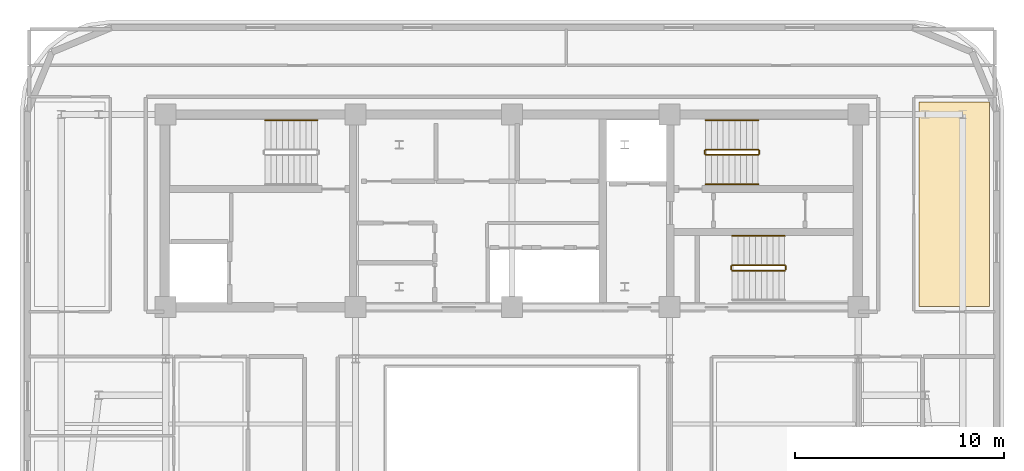
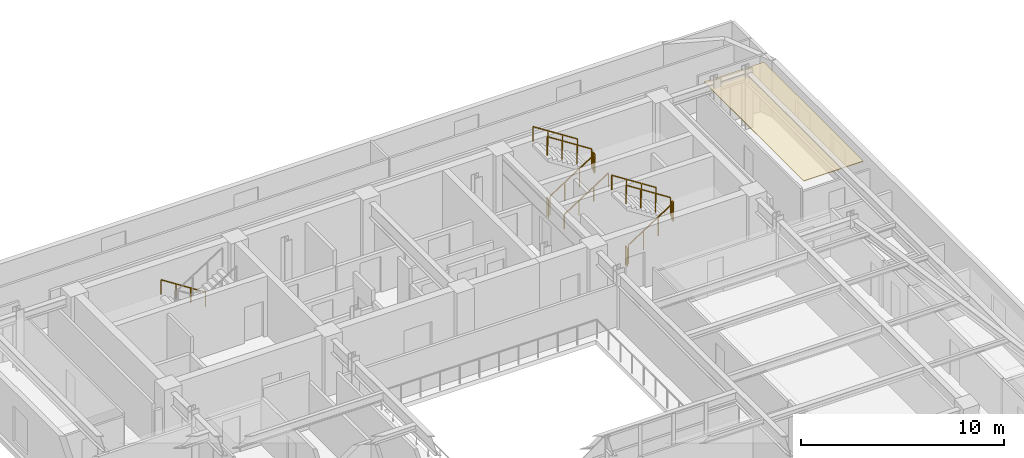
# One storey, part 14 of 14: 12 railings, 1 covering.
"""IFC4 building model written with IfcOpenShell, lengths in metres."""

from ifc_helpers import new_model, si_unit, direction, frame, origin, origin_2d, place, context, subcontext, project, spatial, polyline, rectangle, outline, extrude, material, layer, layer_set, type_object, element, save


model = new_model("IFC4")

# Units and contexts
model_context = context("Model", 3, precision=1e-05, world=origin(), true_north=direction((0.0, 1.0)))
body_context = subcontext(model_context, "Body", "Model", "MODEL_VIEW")
ifc_project = project(units=[si_unit("LENGTHUNIT", "METRE"), si_unit("AREAUNIT", "SQUARE_METRE"), si_unit("VOLUMEUNIT", "CUBIC_METRE"), si_unit("PLANEANGLEUNIT", "RADIAN"), si_unit("MASSUNIT", "GRAM", prefix="KILO")], contexts=[model_context])

# Site, building, storey
site_placement = place(None, origin())
site = spatial("IfcSite", under=ifc_project, at=site_placement, CompositionType="ELEMENT")
building_placement = place(site_placement, origin())
building = spatial("IfcBuilding", under=site, at=building_placement, Name="Zarnavel Station Tower", CompositionType="ELEMENT")
storey_placement = place(building_placement, frame((0.0, 0.0, 211.199951171875)))
storey = spatial("IfcBuildingStorey", under=building, at=storey_placement, Name="L57", CompositionType="ELEMENT", Elevation=211.199951171875)

# Covering
ifc_material_1 = material(Name="Perforated Gypsum and Mineral-Wool Acoustic Ceiling", Category="concrete")
ifc_layer = layer(ifc_material_1, 0.0400390625)
ifc_layer_set = layer_set([ifc_layer], Name="COV_CEIL_ACOUSTIC")
covering_type = type_object("IfcCoveringType", Name="COV_CEIL_ACOUSTIC", PredefinedType="CEILING", material=ifc_layer_set)
covering_placement = place(storey_placement, frame((0.0, 0.0, 3.02001953125)))
element("IfcCovering", 1, at=covering_placement, inside=storey, type_object=covering_type, Name="L57 FNE Acoustic Ceiling", PredefinedType="CEILING", context=body_context, shape_type="SweptSolid", body=[
    extrude(outline(polyline([(48.300048828125, 27.85009765625), (51.68994140625, 27.85009765625), (51.68994140625, 37.64990234375), (48.300048828125, 37.64990234375), (48.300048828125, 27.85009765625)])), origin(), (0.0, 0.0, 1.0), 0.0400390625),
])

# Railings
ifc_material_2 = material(Name="Painted Steel S355J2 Balustrade", Category="steel")
railing_type_1 = type_object("IfcRailingType", Name="GR_INT_1150", PredefinedType="GUARDRAIL", material=ifc_material_2)
railing_1_placement = place(storey_placement, frame((38.080078125, 35.110107421875, 0.179931640625)))
element("IfcRailing", 2, at=railing_1_placement, inside=storey, type_object=railing_type_1, Name="L57 ST2 stair guard 1", PredefinedType="GUARDRAIL", context=body_context, shape_type="SweptSolid", body=[
    extrude(rectangle(XDim=0.048095703125, YDim=0.048095703125, at=origin_2d()), frame((0.001708984375, 0.0, 1.126953125), z_axis=(0.841162588446, 0.0, 0.540782303519), x_axis=(0.0, 1.0, 0.0)), (0.0, 0.0, 1.0), 2.991943359375),
    extrude(rectangle(XDim=0.0419921875, YDim=0.0419921875, at=origin_2d()), origin(), (0.0, 0.0, 1.0), 1.101806640625),
    extrude(rectangle(XDim=0.0419921875, YDim=0.0419921875, at=origin_2d()), frame((0.840087890625, 0.0, 0.5400390625)), (0.0, 0.0, 1.0), 1.101806640625),
    extrude(rectangle(XDim=0.0419921875, YDim=0.0419921875, at=origin_2d()), frame((1.679931640625, 0.0, 1.080078125)), (0.0, 0.0, 1.0), 1.101806640625),
    extrude(rectangle(XDim=0.0419921875, YDim=0.0419921875, at=origin_2d()), frame((2.52001953125, 0.0, 1.6201171875)), (0.0, 0.0, 1.0), 1.101806640625),
])
railing_2_placement = place(storey_placement, frame((40.64990234375, 35.159912109375, 1.800048828125)))
element("IfcRailing", 3, at=railing_2_placement, inside=storey, type_object=railing_type_1, Name="L57 ST2 stair guard 2", PredefinedType="GUARDRAIL", context=body_context, shape_type="SweptSolid", body=[
    extrude(rectangle(XDim=0.048095703125, YDim=0.048095703125, at=origin_2d()), frame((0.0, 0.001953125, 1.1259765625), z_axis=(0.0, 1.0, 0.0), x_axis=(-1.0, 0.0, 0.0)), (0.0, 0.0, 1.0), 0.15625),
    extrude(rectangle(XDim=0.0419921875, YDim=0.0419921875, at=origin_2d()), origin(), (0.0, 0.0, 1.0), 1.101806640625),
    extrude(rectangle(XDim=0.0419921875, YDim=0.0419921875, at=origin_2d()), frame((0.0, 0.16015625, 0.0)), (0.0, 0.0, 1.0), 1.101806640625),
])
railing_3_placement = place(storey_placement, frame((40.60009765625, 35.3701171875, 1.97998046875)))
element("IfcRailing", 4, at=railing_3_placement, inside=storey, type_object=railing_type_1, Name="L57 ST2 stair guard 3", PredefinedType="GUARDRAIL", context=body_context, shape_type="SweptSolid", body=[
    extrude(rectangle(XDim=0.048095703125, YDim=0.048095703125, at=origin_2d()), frame((-0.001708984375, 0.0, 1.126953125), z_axis=(-0.841162588446, 0.0, 0.540782303519), x_axis=(0.0, -1.0, 0.0)), (0.0, 0.0, 1.0), 2.991943359375),
    extrude(rectangle(XDim=0.0419921875, YDim=0.0419921875, at=origin_2d()), origin(), (0.0, 0.0, 1.0), 1.101806640625),
    extrude(rectangle(XDim=0.0419921875, YDim=0.0419921875, at=origin_2d()), frame((-0.840087890625, 0.0, 0.5400390625)), (0.0, 0.0, 1.0), 1.101806640625),
    extrude(rectangle(XDim=0.0419921875, YDim=0.0419921875, at=origin_2d()), frame((-1.679931640625, 0.0, 1.080078125)), (0.0, 0.0, 1.0), 1.101806640625),
    extrude(rectangle(XDim=0.0419921875, YDim=0.0419921875, at=origin_2d()), frame((-2.52001953125, 0.0, 1.6201171875)), (0.0, 0.0, 1.0), 1.101806640625),
])
railing_4_placement = place(storey_placement, frame((38.030029296875, 35.159912109375, 0.0)))
element("IfcRailing", 5, at=railing_4_placement, inside=storey, type_object=railing_type_1, Name="L57 ST2 stair guard 4", PredefinedType="GUARDRAIL", context=body_context, shape_type="SweptSolid", body=[
    extrude(rectangle(XDim=0.048095703125, YDim=0.048095703125, at=origin_2d()), frame((0.0, 0.001953125, 1.1259765625), z_axis=(0.0, 1.0, 0.0), x_axis=(-1.0, 0.0, 0.0)), (0.0, 0.0, 1.0), 0.15625),
    extrude(rectangle(XDim=0.0419921875, YDim=0.0419921875, at=origin_2d()), origin(), (0.0, 0.0, 1.0), 1.101806640625),
    extrude(rectangle(XDim=0.0419921875, YDim=0.0419921875, at=origin_2d()), frame((0.0, 0.16015625, 0.0)), (0.0, 0.0, 1.0), 1.101806640625),
])
railing_5_placement = place(storey_placement, frame((39.35009765625, 29.570068359375, 0.179931640625)))
element("IfcRailing", 6, at=railing_5_placement, inside=storey, type_object=railing_type_1, Name="L57 ST3 stair guard 1", PredefinedType="GUARDRAIL", context=body_context, shape_type="SweptSolid", body=[
    extrude(rectangle(XDim=0.048095703125, YDim=0.048095703125, at=origin_2d()), frame((0.001708984375, 0.0, 1.126953125), z_axis=(0.841162588446, 0.0, 0.540782303519), x_axis=(0.0, 1.0, 0.0)), (0.0, 0.0, 1.0), 2.991943359375),
    extrude(rectangle(XDim=0.0419921875, YDim=0.0419921875, at=origin_2d()), origin(), (0.0, 0.0, 1.0), 1.101806640625),
    extrude(rectangle(XDim=0.0419921875, YDim=0.0419921875, at=origin_2d()), frame((0.840087890625, 0.0, 0.5400390625)), (0.0, 0.0, 1.0), 1.101806640625),
    extrude(rectangle(XDim=0.0419921875, YDim=0.0419921875, at=origin_2d()), frame((1.679931640625, 0.0, 1.080078125)), (0.0, 0.0, 1.0), 1.101806640625),
    extrude(rectangle(XDim=0.0419921875, YDim=0.0419921875, at=origin_2d()), frame((2.52001953125, 0.0, 1.6201171875)), (0.0, 0.0, 1.0), 1.101806640625),
])
railing_6_placement = place(storey_placement, frame((41.919921875, 29.6201171875, 1.800048828125)))
element("IfcRailing", 7, at=railing_6_placement, inside=storey, type_object=railing_type_1, Name="L57 ST3 stair guard 2", PredefinedType="GUARDRAIL", context=body_context, shape_type="SweptSolid", body=[
    extrude(rectangle(XDim=0.048095703125, YDim=0.048095703125, at=origin_2d()), frame((0.0, 0.001953125, 1.1259765625), z_axis=(0.0, 1.0, 0.0), x_axis=(-1.0, 0.0, 0.0)), (0.0, 0.0, 1.0), 0.156005859375),
    extrude(rectangle(XDim=0.0419921875, YDim=0.0419921875, at=origin_2d()), origin(), (0.0, 0.0, 1.0), 1.101806640625),
    extrude(rectangle(XDim=0.0419921875, YDim=0.0419921875, at=origin_2d()), frame((0.0, 0.159912109375, 0.0)), (0.0, 0.0, 1.0), 1.101806640625),
])
railing_7_placement = place(storey_placement, frame((41.8701171875, 29.830078125, 1.97998046875)))
element("IfcRailing", 8, at=railing_7_placement, inside=storey, type_object=railing_type_1, Name="L57 ST3 stair guard 3", PredefinedType="GUARDRAIL", context=body_context, shape_type="SweptSolid", body=[
    extrude(rectangle(XDim=0.048095703125, YDim=0.048095703125, at=origin_2d()), frame((-0.001708984375, 0.0, 1.126953125), z_axis=(-0.841162588446, 0.0, 0.540782303519), x_axis=(0.0, -1.0, 0.0)), (0.0, 0.0, 1.0), 2.991943359375),
    extrude(rectangle(XDim=0.0419921875, YDim=0.0419921875, at=origin_2d()), origin(), (0.0, 0.0, 1.0), 1.101806640625),
    extrude(rectangle(XDim=0.0419921875, YDim=0.0419921875, at=origin_2d()), frame((-0.840087890625, 0.0, 0.5400390625)), (0.0, 0.0, 1.0), 1.101806640625),
    extrude(rectangle(XDim=0.0419921875, YDim=0.0419921875, at=origin_2d()), frame((-1.679931640625, 0.0, 1.080078125)), (0.0, 0.0, 1.0), 1.101806640625),
    extrude(rectangle(XDim=0.0419921875, YDim=0.0419921875, at=origin_2d()), frame((-2.52001953125, 0.0, 1.6201171875)), (0.0, 0.0, 1.0), 1.101806640625),
])
railing_8_placement = place(storey_placement, frame((39.300048828125, 29.6201171875, 0.0)))
element("IfcRailing", 9, at=railing_8_placement, inside=storey, type_object=railing_type_1, Name="L57 ST3 stair guard 4", PredefinedType="GUARDRAIL", context=body_context, shape_type="SweptSolid", body=[
    extrude(rectangle(XDim=0.048095703125, YDim=0.048095703125, at=origin_2d()), frame((0.0, 0.001953125, 1.1259765625), z_axis=(0.0, 1.0, 0.0), x_axis=(-1.0, 0.0, 0.0)), (0.0, 0.0, 1.0), 0.156005859375),
    extrude(rectangle(XDim=0.0419921875, YDim=0.0419921875, at=origin_2d()), origin(), (0.0, 0.0, 1.0), 1.101806640625),
    extrude(rectangle(XDim=0.0419921875, YDim=0.0419921875, at=origin_2d()), frame((0.0, 0.159912109375, 0.0)), (0.0, 0.0, 1.0), 1.101806640625),
])
ifc_material_3 = material(Name="Brushed Stainless Steel S355J2 Handrail", Category="steel")
railing_type_2 = type_object("IfcRailingType", Name="HR_STAIR_900", PredefinedType="HANDRAIL", material=ifc_material_3)
railing_9_placement = place(storey_placement, frame((19.47998046875, 36.77001953125, 0.179931640625)))
element("IfcRailing", 10, at=railing_9_placement, inside=storey, type_object=railing_type_2, Name="L57 ST1 stair handrail 1", PredefinedType="HANDRAIL", context=body_context, shape_type="SweptSolid", body=[
    extrude(rectangle(XDim=0.048095703125, YDim=0.048095703125, at=origin_2d()), frame((-0.001708984375, 0.0, 0.876953125), z_axis=(-0.841162588446, 0.0, 0.540782303519), x_axis=(0.0, -1.0, 0.0)), (0.0, 0.0, 1.0), 2.991943359375),
    extrude(rectangle(XDim=0.0419921875, YDim=0.0419921875, at=origin_2d()), origin(), (0.0, 0.0, 1.0), 0.851806640625),
    extrude(rectangle(XDim=0.0419921875, YDim=0.0419921875, at=origin_2d()), frame((-0.840087890625, 0.0, 0.5400390625)), (0.0, 0.0, 1.0), 0.851806640625),
    extrude(rectangle(XDim=0.0419921875, YDim=0.0419921875, at=origin_2d()), frame((-1.679931640625, 0.0, 1.080078125)), (0.0, 0.0, 1.0), 0.851806640625),
    extrude(rectangle(XDim=0.0419921875, YDim=0.0419921875, at=origin_2d()), frame((-2.52001953125, 0.0, 1.6201171875)), (0.0, 0.0, 1.0), 0.851806640625),
])
railing_10_placement = place(storey_placement, frame((38.080078125, 33.7099609375, 0.179931640625)))
element("IfcRailing", 11, at=railing_10_placement, inside=storey, type_object=railing_type_2, Name="L57 ST2 stair handrail 1", PredefinedType="HANDRAIL", context=body_context, shape_type="SweptSolid", body=[
    extrude(rectangle(XDim=0.048095703125, YDim=0.048095703125, at=origin_2d()), frame((0.001708984375, 0.0, 0.876953125), z_axis=(0.841162588446, 0.0, 0.540782303519), x_axis=(0.0, 1.0, 0.0)), (0.0, 0.0, 1.0), 2.991943359375),
    extrude(rectangle(XDim=0.0419921875, YDim=0.0419921875, at=origin_2d()), origin(), (0.0, 0.0, 1.0), 0.851806640625),
    extrude(rectangle(XDim=0.0419921875, YDim=0.0419921875, at=origin_2d()), frame((0.840087890625, 0.0, 0.5400390625)), (0.0, 0.0, 1.0), 0.851806640625),
    extrude(rectangle(XDim=0.0419921875, YDim=0.0419921875, at=origin_2d()), frame((1.679931640625, 0.0, 1.080078125)), (0.0, 0.0, 1.0), 0.851806640625),
    extrude(rectangle(XDim=0.0419921875, YDim=0.0419921875, at=origin_2d()), frame((2.52001953125, 0.0, 1.6201171875)), (0.0, 0.0, 1.0), 0.851806640625),
])
for number, where, name in (
    (12, (40.60009765625, 36.77001953125, 1.97998046875), "L57 ST2 stair handrail 2"),
    (13, (41.8701171875, 31.22998046875, 1.97998046875), "L57 ST3 stair handrail 2"),
):
    element("IfcRailing", number, at=place(storey_placement, frame(where)), inside=storey, type_object=railing_type_2, Name=name, PredefinedType="HANDRAIL", context=body_context, shape_type="SweptSolid", body=[
        extrude(rectangle(XDim=0.048095703125, YDim=0.048095703125, at=origin_2d()), frame((-0.001708984375, 0.0, 0.876953125), z_axis=(-0.841162588446, 0.0, 0.540782303519), x_axis=(0.0, -1.0, 0.0)), (0.0, 0.0, 1.0), 2.991943359375),
        extrude(rectangle(XDim=0.0419921875, YDim=0.0419921875, at=origin_2d()), origin(), (0.0, 0.0, 1.0), 0.851806640625),
        extrude(rectangle(XDim=0.0419921875, YDim=0.0419921875, at=origin_2d()), frame((-0.840087890625, 0.0, 0.5400390625)), (0.0, 0.0, 1.0), 0.851806640625),
        extrude(rectangle(XDim=0.0419921875, YDim=0.0419921875, at=origin_2d()), frame((-1.679931640625, 0.0, 1.080078125)), (0.0, 0.0, 1.0), 0.851806640625),
        extrude(rectangle(XDim=0.0419921875, YDim=0.0419921875, at=origin_2d()), frame((-2.52001953125, 0.0, 1.6201171875)), (0.0, 0.0, 1.0), 0.851806640625),
    ])

save(model, "model.ifc")
